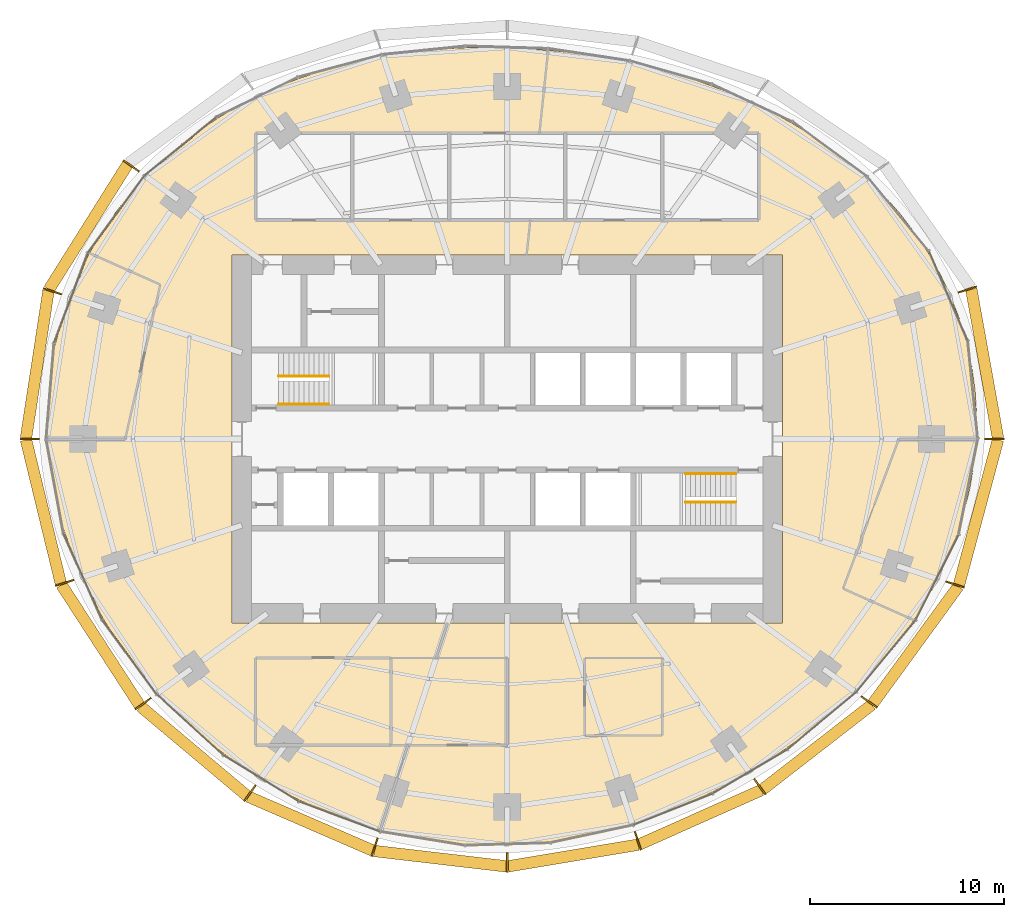
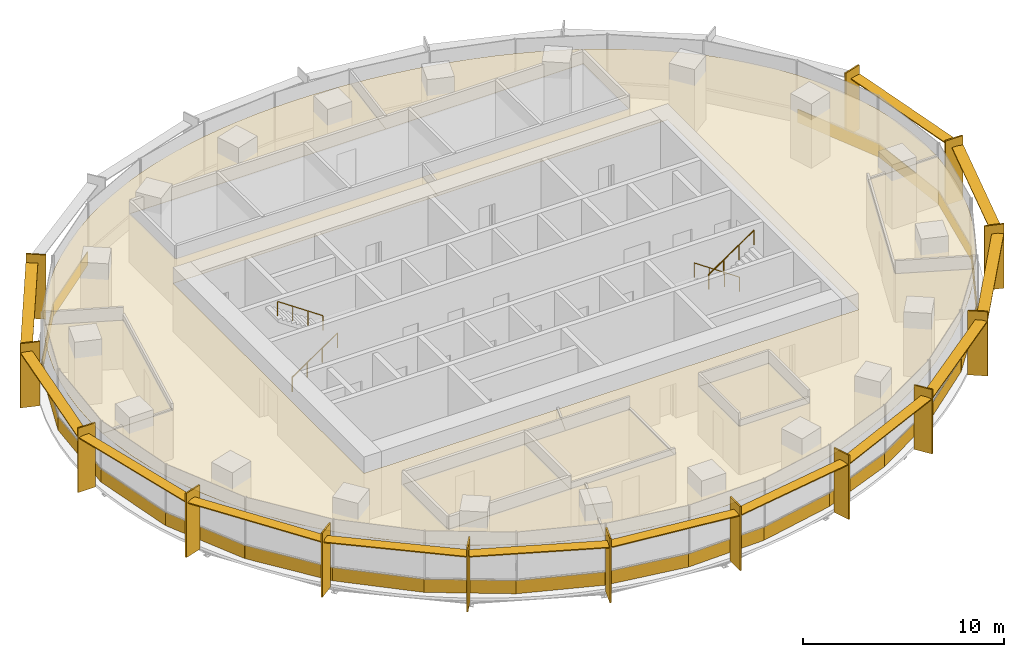
# One storey, part 13 of 14: 28 coverings, 27 shading devices, 4 railings.
"""IFC4 building model written with IfcOpenShell, lengths in metres."""

from ifc_helpers import new_model, si_unit, direction, frame, origin, origin_2d, place, context, subcontext, project, spatial, polyline, rectangle, circle, outline, extrude, material, layer, layer_set, type_object, element, save


model = new_model("IFC4")

# Units and contexts
model_context = context("Model", 3, precision=1e-05, world=origin(), true_north=direction((0.0, 1.0)))
body_context = subcontext(model_context, "Body", "Model", "MODEL_VIEW")
ifc_project = project(units=[si_unit("LENGTHUNIT", "METRE"), si_unit("AREAUNIT", "SQUARE_METRE"), si_unit("VOLUMEUNIT", "CUBIC_METRE"), si_unit("PLANEANGLEUNIT", "RADIAN"), si_unit("MASSUNIT", "GRAM", prefix="KILO")], contexts=[model_context])

# Site, building, storey
site_placement = place(None, origin())
site = spatial("IfcSite", under=ifc_project, at=site_placement, CompositionType="ELEMENT")
building_placement = place(site_placement, origin())
building = spatial("IfcBuilding", under=site, at=building_placement, Name="Marramba Exchange Tower", CompositionType="ELEMENT")
storey_placement = place(building_placement, frame((0.0, 0.0, 234.5)))
storey = spatial("IfcBuildingStorey", under=building, at=storey_placement, Name="L57", CompositionType="ELEMENT", Elevation=234.5)

# Shading devices
ifc_material_1 = material(Name="Aluminium blade, timber-look bronze finish", Category="wood")
ifc_layer_1 = layer(ifc_material_1, 0.080078125)
ifc_layer_set_1 = layer_set([ifc_layer_1], Name="Floor-edge blade 1000x80")
shading_device_type_1 = type_object("IfcShadingDeviceType", Name="Floor-edge blade 1000x80", PredefinedType="USERDEFINED", material=ifc_layer_set_1)
for number, where, z_axis, x_axis, name in (
    (1, (25.14404296875, 0.0, -0.159912109375), (0.0, 0.0, 1.0), (1.0, 0.0, 0.0), "Floor-edge blade FB1 L57 TC01"),
    (2, (23.757080078125, 7.718994140625, -0.159912109375), (0.0, 0.0, 1.0), (0.951056516295, 0.309016994375, 0.0), "Floor-edge blade FB1 L57 TC02"),
    (3, (-19.4140625, 14.105224609375, -0.159912109375), (0.0, 0.0, 1.0), (-0.809016994375, 0.587785252292, 0.0), "Floor-edge blade FB1 L57 TC09"),
    (4, (-23.488525390625, 7.6318359375, -0.159912109375), (0.0, 0.0, 1.0), (-0.951056516295, 0.309016994375, 0.0), "Floor-edge blade FB1 L57 TC10"),
    (5, (-24.656005859375, 0.0, -0.159912109375), (0.0, 0.0, 1.0), (-1.0, 0.0, 0.0), "Floor-edge blade FB1 L57 TC11"),
    (6, (-22.848876953125, -7.424072265625, -0.159912109375), (0.0, 0.0, 1.0), (-0.951056516295, -0.309016994375, 0.0), "Floor-edge blade FB1 L57 TC12"),
    (7, (-18.7998046875, -13.658935546875, -0.159912109375), (0.0, 0.0, 1.0), (-0.809016994375, -0.587785252292, 0.0), "Floor-edge blade FB1 L57 TC13"),
    (8, (-13.2841796875, -18.2841796875, -0.159912109375), (0.0, 0.0, 1.0), (-0.587785252292, -0.809016994375, 0.0), "Floor-edge blade FB1 L57 TC14"),
    (9, (-6.845703125, -21.069091796875, -0.159912109375), (0.0, 0.0, 1.0), (-0.309016994375, -0.951056516295, 0.0), "Floor-edge blade FB1 L57 TC15"),
    (10, (0.0, -21.86376953125, -0.159912109375), (0.0, 0.0, 1.0), (0.0, -1.0, 0.0), "Floor-edge blade FB1 L57 TC16"),
    (11, (6.739501953125, -20.741943359375, -0.159912109375), (0.0, 0.0, 1.0), (0.309016994375, -0.951056516295, 0.0), "Floor-edge blade FB1 L57 TC17"),
    (12, (13.0380859375, -17.9453125, -0.159912109375), (0.0, 0.0, 1.0), (0.587785252292, -0.809016994375, 0.0), "Floor-edge blade FB1 L57 TC18"),
    (13, (18.6845703125, -13.5751953125, -0.159912109375), (0.0, 0.0, 1.0), (0.809016994375, -0.587785252292, 0.0), "Floor-edge blade FB1 L57 TC19"),
    (14, (23.1171875, -7.51123046875, -0.159912109375), (0.0, 0.0, 1.0), (0.951056516295, -0.309016994375, 0.0), "Floor-edge blade FB1 L57 TC20"),
):
    element("IfcShadingDevice", number, at=place(storey_placement, frame(where, z_axis=z_axis, x_axis=x_axis)), inside=storey, type_object=shading_device_type_1, Name=name, ObjectType="FIN", PredefinedType="USERDEFINED", context=body_context, shape_type="SweptSolid", body=[
        extrude(rectangle(XDim=1.0, YDim=0.080078125, at=origin_2d()), origin(), (0.0, 0.0, 1.0), 3.89990234375),
    ])
ifc_material_2 = material(Name="Aluminium sunshade, bronze anodised", Category="aluminium")
ifc_layer_2 = layer(ifc_material_2, 0.06005859375)
ifc_layer_set_2 = layer_set([ifc_layer_2], Name="SUNSHADE blade 600x60")
shading_device_type_2 = type_object("IfcShadingDeviceType", Name="SUNSHADE blade 600x60", PredefinedType="USERDEFINED", material=ifc_layer_set_2)
shading_device_1_placement = place(storey_placement, frame((24.6455078125, 3.890380859375, 3.159912109375), z_axis=(0.0, 0.0, 1.0), x_axis=(-0.176690623809, 0.984266439262, 0.0)))
element("IfcShadingDevice", 15, at=shading_device_1_placement, inside=storey, type_object=shading_device_type_2, Name="Sunshade SS1 L57 bay 01", ObjectType="SUNSHADE", PredefinedType="USERDEFINED", context=body_context, shape_type="SweptSolid", body=[
    extrude(rectangle(XDim=7.8251953125, YDim=0.60009765625, at=origin_2d()), origin(), (0.0, 0.0, 1.0), 0.06005859375),
])
shading_device_2_placement = place(storey_placement, frame((-21.62744140625, 10.958251953125, 3.159912109375), z_axis=(0.0, 0.0, 1.0), x_axis=(-0.532082259983, -0.846692664792, 0.0)))
element("IfcShadingDevice", 16, at=shading_device_2_placement, inside=storey, type_object=shading_device_type_2, Name="Sunshade SS1 L57 bay 09", ObjectType="SUNSHADE", PredefinedType="USERDEFINED", context=body_context, shape_type="SweptSolid", body=[
    extrude(rectangle(XDim=7.631103515625, YDim=0.60009765625, at=origin_2d()), origin(), (0.0, 0.0, 1.0), 0.06005859375),
])
shading_device_3_placement = place(storey_placement, frame((-24.267333984375, 3.846923828125, 3.159912109375), z_axis=(0.0, 0.0, 1.0), x_axis=(-0.151240669327, -0.988496970123, 0.0)))
element("IfcShadingDevice", 17, at=shading_device_3_placement, inside=storey, type_object=shading_device_type_2, Name="Sunshade SS1 L57 bay 10", ObjectType="SUNSHADE", PredefinedType="USERDEFINED", context=body_context, shape_type="SweptSolid", body=[
    extrude(rectangle(XDim=7.703369140625, YDim=0.60009765625, at=origin_2d()), origin(), (0.0, 0.0, 1.0), 0.06005859375),
])
shading_device_4_placement = place(storey_placement, frame((-23.947509765625, -3.742919921875, 3.159912109375), z_axis=(0.0, 0.0, 1.0), x_axis=(0.235861488454, -0.971786683519, 0.0)))
element("IfcShadingDevice", 18, at=shading_device_4_placement, inside=storey, type_object=shading_device_type_2, Name="Sunshade SS1 L57 bay 11", ObjectType="SUNSHADE", PredefinedType="USERDEFINED", context=body_context, shape_type="SweptSolid", body=[
    extrude(rectangle(XDim=7.623291015625, YDim=0.60009765625, at=origin_2d()), origin(), (0.0, 0.0, 1.0), 0.06005859375),
])
shading_device_5_placement = place(storey_placement, frame((-21.000244140625, -10.631103515625, 3.159912109375), z_axis=(0.0, 0.0, 1.0), x_axis=(0.543921771105, -0.839135928749, 0.0)))
element("IfcShadingDevice", 19, at=shading_device_5_placement, inside=storey, type_object=shading_device_type_2, Name="Sunshade SS1 L57 bay 12", ObjectType="SUNSHADE", PredefinedType="USERDEFINED", context=body_context, shape_type="SweptSolid", body=[
    extrude(rectangle(XDim=7.41650390625, YDim=0.60009765625, at=origin_2d()), origin(), (0.0, 0.0, 1.0), 0.06005859375),
])
shading_device_6_placement = place(storey_placement, frame((-16.181640625, -16.111083984375, 3.159912109375), z_axis=(0.0, 0.0, 1.0), x_axis=(0.765761970568, -0.643124097225, 0.0)))
element("IfcShadingDevice", 20, at=shading_device_6_placement, inside=storey, type_object=shading_device_type_2, Name="Sunshade SS1 L57 bay 13", ObjectType="SUNSHADE", PredefinedType="USERDEFINED", context=body_context, shape_type="SweptSolid", body=[
    extrude(rectangle(XDim=7.1806640625, YDim=0.60009765625, at=origin_2d()), origin(), (0.0, 0.0, 1.0), 0.06005859375),
])
shading_device_7_placement = place(storey_placement, frame((-10.154541015625, -19.8525390625, 3.159912109375), z_axis=(0.0, 0.0, 1.0), x_axis=(0.917589256742, -0.397529817639, 0.0)))
element("IfcShadingDevice", 21, at=shading_device_7_placement, inside=storey, type_object=shading_device_type_2, Name="Sunshade SS1 L57 bay 14", ObjectType="SUNSHADE", PredefinedType="USERDEFINED", context=body_context, shape_type="SweptSolid", body=[
    extrude(rectangle(XDim=6.997314453125, YDim=0.60009765625, at=origin_2d()), origin(), (0.0, 0.0, 1.0), 0.06005859375),
])
shading_device_8_placement = place(storey_placement, frame((-3.453857421875, -21.66162109375, 3.159912109375), z_axis=(0.0, 0.0, 1.0), x_axis=(0.993288257497, -0.1156651958, 0.0)))
element("IfcShadingDevice", 22, at=shading_device_8_placement, inside=storey, type_object=shading_device_type_2, Name="Sunshade SS1 L57 bay 15", ObjectType="SUNSHADE", PredefinedType="USERDEFINED", context=body_context, shape_type="SweptSolid", body=[
    extrude(rectangle(XDim=6.874267578125, YDim=0.60009765625, at=origin_2d()), origin(), (0.0, 0.0, 1.0), 0.06005859375),
])
shading_device_9_placement = place(storey_placement, frame((3.400634765625, -21.498046875, 3.159912109375), z_axis=(0.0, 0.0, 1.0), x_axis=(0.986439622954, 0.164124557168, 0.0)))
element("IfcShadingDevice", 23, at=shading_device_9_placement, inside=storey, type_object=shading_device_type_2, Name="Sunshade SS1 L57 bay 16", ObjectType="SUNSHADE", PredefinedType="USERDEFINED", context=body_context, shape_type="SweptSolid", body=[
    extrude(rectangle(XDim=6.814697265625, YDim=0.60009765625, at=origin_2d()), origin(), (0.0, 0.0, 1.0), 0.06005859375),
])
shading_device_10_placement = place(storey_placement, frame((9.978515625, -19.519775390625, 3.159912109375), z_axis=(0.0, 0.0, 1.0), x_axis=(0.913771678576, 0.406228161792, 0.0)))
element("IfcShadingDevice", 24, at=shading_device_10_placement, inside=storey, type_object=shading_device_type_2, Name="Sunshade SS1 L57 bay 17", ObjectType="SUNSHADE", PredefinedType="USERDEFINED", context=body_context, shape_type="SweptSolid", body=[
    extrude(rectangle(XDim=6.8740234375, YDim=0.60009765625, at=origin_2d()), origin(), (0.0, 0.0, 1.0), 0.06005859375),
])
shading_device_11_placement = place(storey_placement, frame((16.0009765625, -15.89990234375, 3.159912109375), z_axis=(0.0, 0.0, 1.0), x_axis=(0.790133082515, 0.612935324414, 0.0)))
element("IfcShadingDevice", 25, at=shading_device_11_placement, inside=storey, type_object=shading_device_type_2, Name="Sunshade SS1 L57 bay 18", ObjectType="SUNSHADE", PredefinedType="USERDEFINED", context=body_context, shape_type="SweptSolid", body=[
    extrude(rectangle(XDim=7.122314453125, YDim=0.60009765625, at=origin_2d()), origin(), (0.0, 0.0, 1.0), 0.06005859375),
])
shading_device_12_placement = place(storey_placement, frame((21.076904296875, -10.6328125, 3.159912109375), z_axis=(0.0, 0.0, 1.0), x_axis=(0.589071758439, 0.808080728275, 0.0)))
element("IfcShadingDevice", 26, at=shading_device_12_placement, inside=storey, type_object=shading_device_type_2, Name="Sunshade SS1 L57 bay 19", ObjectType="SUNSHADE", PredefinedType="USERDEFINED", context=body_context, shape_type="SweptSolid", body=[
    extrude(rectangle(XDim=7.4931640625, YDim=0.60009765625, at=origin_2d()), origin(), (0.0, 0.0, 1.0), 0.06005859375),
])
shading_device_13_placement = place(storey_placement, frame((24.32568359375, -3.78662109375, 3.159912109375), z_axis=(0.0, 0.0, 1.0), x_axis=(0.259692365654, 0.965691397508, 0.0)))
element("IfcShadingDevice", 27, at=shading_device_13_placement, inside=storey, type_object=shading_device_type_2, Name="Sunshade SS1 L57 bay 20", ObjectType="SUNSHADE", PredefinedType="USERDEFINED", context=body_context, shape_type="SweptSolid", body=[
    extrude(rectangle(XDim=7.76220703125, YDim=0.60009765625, at=origin_2d()), origin(), (0.0, 0.0, 1.0), 0.06005859375),
])

# Coverings
ifc_material_3 = material(Name="Aluminium spandrel panel, bronze anodised, insulated", Category="aluminium")
ifc_layer_3 = layer(ifc_material_3, 0.050048828125)
ifc_layer_set_3 = layer_set([ifc_layer_3], Name="Spandrel panel 800")
covering_type_1 = type_object("IfcCoveringType", Name="Spandrel panel 800", PredefinedType="CLADDING", material=ifc_layer_set_3)
covering_1_placement = place(storey_placement, frame((24.036376953125, 2.527099609375, 0.0), z_axis=(0.0, 0.0, 1.0), x_axis=(-0.101422478545, 0.994843445395, 0.0)))
element("IfcCovering", 28, at=covering_1_placement, inside=storey, type_object=covering_type_1, Name="Spandrel panel SP1 L57 F01", PredefinedType="CLADDING", context=body_context, shape_type="SweptSolid", body=[
    extrude(rectangle(XDim=5.08056640625, YDim=0.050048828125, at=origin_2d()), origin(), (0.0, 0.0, 1.0), 0.800048828125),
])
covering_2_placement = place(storey_placement, frame((22.77734375, 7.374755859375, 0.0), z_axis=(0.0, 0.0, 1.0), x_axis=(-0.396193349205, 0.918167103552, 0.0)))
element("IfcCovering", 29, at=covering_2_placement, inside=storey, type_object=covering_type_1, Name="Spandrel panel SP1 L57 F02", PredefinedType="CLADDING", context=body_context, shape_type="SweptSolid", body=[
    extrude(rectangle(XDim=5.0546875, YDim=0.050048828125, at=origin_2d()), origin(), (0.0, 0.0, 1.0), 0.800048828125),
])
covering_3_placement = place(storey_placement, frame((-16.855712890625, 15.1240234375, 0.0), z_axis=(0.0, 0.0, 1.0), x_axis=(-0.776432169123, -0.630200830491, 0.0)))
element("IfcCovering", 30, at=covering_3_placement, inside=storey, type_object=covering_type_1, Name="Spandrel panel SP1 L57 F12", PredefinedType="CLADDING", context=body_context, shape_type="SweptSolid", body=[
    extrude(rectangle(XDim=4.81884765625, YDim=0.050048828125, at=origin_2d()), origin(), (0.0, 0.0, 1.0), 0.800048828125),
])
covering_4_placement = place(storey_placement, frame((-20.184326171875, 11.62060546875, 0.0), z_axis=(0.0, 0.0, 1.0), x_axis=(-0.591962919465, -0.805965198987, 0.0)))
element("IfcCovering", 31, at=covering_4_placement, inside=storey, type_object=covering_type_1, Name="Spandrel panel SP1 L57 F13", PredefinedType="CLADDING", context=body_context, shape_type="SweptSolid", body=[
    extrude(rectangle(XDim=4.925537109375, YDim=0.050048828125, at=origin_2d()), origin(), (0.0, 0.0, 1.0), 0.800048828125),
])
covering_5_placement = place(storey_placement, frame((-22.518798828125, 7.30419921875, 0.0), z_axis=(0.0, 0.0, 1.0), x_axis=(-0.351951514464, -0.936018232443, 0.0)))
element("IfcCovering", 32, at=covering_5_placement, inside=storey, type_object=covering_type_1, Name="Spandrel panel SP1 L57 F14", PredefinedType="CLADDING", context=body_context, shape_type="SweptSolid", body=[
    extrude(rectangle(XDim=4.981689453125, YDim=0.050048828125, at=origin_2d()), origin(), (0.0, 0.0, 1.0), 0.800048828125),
])
covering_6_placement = place(storey_placement, frame((-23.600830078125, 2.486328125, 0.0), z_axis=(0.0, 0.0, 1.0), x_axis=(-0.082280881776, -0.996609179415, 0.0)))
element("IfcCovering", 33, at=covering_6_placement, inside=storey, type_object=covering_type_1, Name="Spandrel panel SP1 L57 F15", PredefinedType="CLADDING", context=body_context, shape_type="SweptSolid", body=[
    extrude(rectangle(XDim=4.98974609375, YDim=0.050048828125, at=origin_2d()), origin(), (0.0, 0.0, 1.0), 0.800048828125),
])
covering_7_placement = place(storey_placement, frame((-23.359619140625, -2.43505859375, 0.0), z_axis=(0.0, 0.0, 1.0), x_axis=(0.180327442841, -0.983606635479, 0.0)))
element("IfcCovering", 34, at=covering_7_placement, inside=storey, type_object=covering_type_1, Name="Spandrel panel SP1 L57 F16", PredefinedType="CLADDING", context=body_context, shape_type="SweptSolid", body=[
    extrude(rectangle(XDim=4.951416015625, YDim=0.050048828125, at=origin_2d()), origin(), (0.0, 0.0, 1.0), 0.800048828125),
])
covering_8_placement = place(storey_placement, frame((-21.920654296875, -7.093994140625, 0.0), z_axis=(0.0, 0.0, 1.0), x_axis=(0.407557582153, -0.913179509861, 0.0)))
element("IfcCovering", 35, at=covering_8_placement, inside=storey, type_object=covering_type_1, Name="Spandrel panel SP1 L57 F17", PredefinedType="CLADDING", context=body_context, shape_type="SweptSolid", body=[
    extrude(rectangle(XDim=4.870361328125, YDim=0.050048828125, at=origin_2d()), origin(), (0.0, 0.0, 1.0), 0.800048828125),
])
covering_9_placement = place(storey_placement, frame((-19.520263671875, -11.238525390625, 0.0), z_axis=(0.0, 0.0, 1.0), x_axis=(0.591223097085, -0.80650805915, 0.0)))
element("IfcCovering", 36, at=covering_9_placement, inside=storey, type_object=covering_type_1, Name="Spandrel panel SP1 L57 F18", PredefinedType="CLADDING", context=body_context, shape_type="SweptSolid", body=[
    extrude(rectangle(XDim=4.762939453125, YDim=0.050048828125, at=origin_2d()), origin(), (0.0, 0.0, 1.0), 0.800048828125),
])
covering_10_placement = place(storey_placement, frame((-16.396240234375, -14.73193359375, 0.0), z_axis=(0.0, 0.0, 1.0), x_axis=(0.737203259599, -0.67567103981, 0.0)))
element("IfcCovering", 37, at=covering_10_placement, inside=storey, type_object=covering_type_1, Name="Spandrel panel SP1 L57 F19", PredefinedType="CLADDING", context=body_context, shape_type="SweptSolid", body=[
    extrude(rectangle(XDim=4.65478515625, YDim=0.050048828125, at=origin_2d()), origin(), (0.0, 0.0, 1.0), 0.800048828125),
])
covering_11_placement = place(storey_placement, frame((-12.73583984375, -17.497802734375, 0.0), z_axis=(0.0, 0.0, 1.0), x_axis=(0.852301010692, -0.52305161043, 0.0)))
element("IfcCovering", 38, at=covering_11_placement, inside=storey, type_object=covering_type_1, Name="Spandrel panel SP1 L57 F20", PredefinedType="CLADDING", context=body_context, shape_type="SweptSolid", body=[
    extrude(rectangle(XDim=4.563232421875, YDim=0.050048828125, at=origin_2d()), origin(), (0.0, 0.0, 1.0), 0.800048828125),
])
covering_12_placement = place(storey_placement, frame((-8.687255859375, -19.47607421875, 0.0), z_axis=(0.0, 0.0, 1.0), x_axis=(0.936951581946, -0.349459200892, 0.0)))
element("IfcCovering", 39, at=covering_12_placement, inside=storey, type_object=covering_type_1, Name="Spandrel panel SP1 L57 F21", PredefinedType="CLADDING", context=body_context, shape_type="SweptSolid", body=[
    extrude(rectangle(XDim=4.491455078125, YDim=0.050048828125, at=origin_2d()), origin(), (0.0, 0.0, 1.0), 0.800048828125),
])
covering_13_placement = place(storey_placement, frame((-4.393798828125, -20.6181640625, 0.0), z_axis=(0.0, 0.0, 1.0), x_axis=(0.98693062179, -0.161145734582, 0.0)))
element("IfcCovering", 40, at=covering_13_placement, inside=storey, type_object=covering_type_1, Name="Spandrel panel SP1 L57 F22", PredefinedType="CLADDING", context=body_context, shape_type="SweptSolid", body=[
    extrude(rectangle(XDim=4.4365234375, YDim=0.050048828125, at=origin_2d()), origin(), (0.0, 0.0, 1.0), 0.800048828125),
])
covering_14_placement = place(storey_placement, frame((-0.0068359375, -20.9111328125, 0.0), z_axis=(0.0, 0.0, 1.0), x_axis=(0.99956791932, 0.02939344597, 0.0)))
element("IfcCovering", 41, at=covering_14_placement, inside=storey, type_object=covering_type_1, Name="Spandrel panel SP1 L57 F23", PredefinedType="CLADDING", context=body_context, shape_type="SweptSolid", body=[
    extrude(rectangle(XDim=4.3974609375, YDim=0.050048828125, at=origin_2d()), origin(), (0.0, 0.0, 1.0), 0.800048828125),
])
covering_15_placement = place(storey_placement, frame((4.333984375, -20.389892578125, 0.0), z_axis=(0.0, 0.0, 1.0), x_axis=(0.978058068956, 0.208332459664, 0.0)))
element("IfcCovering", 42, at=covering_15_placement, inside=storey, type_object=covering_type_1, Name="Spandrel panel SP1 L57 F24", PredefinedType="CLADDING", context=body_context, shape_type="SweptSolid", body=[
    extrude(rectangle(XDim=4.3818359375, YDim=0.050048828125, at=origin_2d()), origin(), (0.0, 0.0, 1.0), 0.800048828125),
])
covering_16_placement = place(storey_placement, frame((8.525390625, -19.124267578125, 0.0), z_axis=(0.0, 0.0, 1.0), x_axis=(0.93007301151, 0.367374731386, 0.0)))
element("IfcCovering", 43, at=covering_16_placement, inside=storey, type_object=covering_type_1, Name="Spandrel panel SP1 L57 F25", PredefinedType="CLADDING", context=body_context, shape_type="SweptSolid", body=[
    extrude(rectangle(XDim=4.405517578125, YDim=0.050048828125, at=origin_2d()), origin(), (0.0, 0.0, 1.0), 0.800048828125),
])
covering_17_placement = place(storey_placement, frame((12.50634765625, -17.175537109375, 0.0), z_axis=(0.0, 0.0, 1.0), x_axis=(0.861350829898, 0.508010578466, 0.0)))
element("IfcCovering", 44, at=covering_17_placement, inside=storey, type_object=covering_type_1, Name="Spandrel panel SP1 L57 F26", PredefinedType="CLADDING", context=body_context, shape_type="SweptSolid", body=[
    extrude(rectangle(XDim=4.486572265625, YDim=0.050048828125, at=origin_2d()), origin(), (0.0, 0.0, 1.0), 0.800048828125),
])
covering_18_placement = place(storey_placement, frame((16.2177734375, -14.5556640625, 0.0), z_axis=(0.0, 0.0, 1.0), x_axis=(0.768736803132, 0.639565264465, 0.0)))
element("IfcCovering", 45, at=covering_18_placement, inside=storey, type_object=covering_type_1, Name="Spandrel panel SP1 L57 F27", PredefinedType="CLADDING", context=body_context, shape_type="SweptSolid", body=[
    extrude(rectangle(XDim=4.628662109375, YDim=0.050048828125, at=origin_2d()), origin(), (0.0, 0.0, 1.0), 0.800048828125),
])
covering_19_placement = place(storey_placement, frame((19.529541015625, -11.2265625, 0.0), z_axis=(0.0, 0.0, 1.0), x_axis=(0.638149992226, 0.769912064733, 0.0)))
element("IfcCovering", 46, at=covering_19_placement, inside=storey, type_object=covering_type_1, Name="Spandrel panel SP1 L57 F28", PredefinedType="CLADDING", context=body_context, shape_type="SweptSolid", body=[
    extrude(rectangle(XDim=4.80322265625, YDim=0.050048828125, at=origin_2d()), origin(), (0.0, 0.0, 1.0), 0.800048828125),
])
covering_20_placement = place(storey_placement, frame((22.17919921875, -7.16455078125, 0.0), z_axis=(0.0, 0.0, 1.0), x_axis=(0.450673091404, 0.892689063832, 0.0)))
element("IfcCovering", 47, at=covering_20_placement, inside=storey, type_object=covering_type_1, Name="Spandrel panel SP1 L57 F29", PredefinedType="CLADDING", context=body_context, shape_type="SweptSolid", body=[
    extrude(rectangle(XDim=4.957763671875, YDim=0.050048828125, at=origin_2d()), origin(), (0.0, 0.0, 1.0), 0.800048828125),
])
covering_21_placement = place(storey_placement, frame((23.795166015625, -2.475830078125, 0.0), z_axis=(0.0, 0.0, 1.0), x_axis=(0.197495401381, 0.980303813332, 0.0)))
element("IfcCovering", 48, at=covering_21_placement, inside=storey, type_object=covering_type_1, Name="Spandrel panel SP1 L57 F30", PredefinedType="CLADDING", context=body_context, shape_type="SweptSolid", body=[
    extrude(rectangle(XDim=5.05126953125, YDim=0.050048828125, at=origin_2d()), origin(), (0.0, 0.0, 1.0), 0.800048828125),
])

# Railings
ifc_material_4 = material(Name="Stainless steel handrail", Category="steel")
railing_type = type_object("IfcRailingType", Name="Stair handrail 900", PredefinedType="HANDRAIL", material=ifc_material_4)
railing_1_placement = place(storey_placement, frame((-11.800048828125, 1.800048828125, 0.17724609375)))
element("IfcRailing", 49, at=railing_1_placement, inside=storey, type_object=railing_type, Name="Handrail HR1 ST1 L57 flight 1", PredefinedType="HANDRAIL", context=body_context, shape_type="SweptSolid", body=[
    extrude(circle(Radius=0.02392578125, at=origin_2d()), frame((0.0, 0.0, 0.8759765625), z_axis=(0.826240473404, 0.0, 0.563317565952), x_axis=(0.0, 1.0, 0.0)), (0.0, 0.0, 1.0), 3.14697265625),
    extrude(circle(Radius=0.02099609375, at=origin_2d()), origin(), (0.0, 0.0, 1.0), 0.851806640625),
    extrude(circle(Radius=0.02099609375, at=origin_2d()), frame((0.86669921875, 0.0, 0.5908203125)), (0.0, 0.0, 1.0), 0.851806640625),
    extrude(circle(Radius=0.02099609375, at=origin_2d()), frame((1.7333984375, 0.0, 1.181884765625)), (0.0, 0.0, 1.0), 0.851806640625),
    extrude(circle(Radius=0.02099609375, at=origin_2d()), frame((2.60009765625, 0.0, 1.772705078125)), (0.0, 0.0, 1.0), 0.851806640625),
])
for number, where, name in (
    (50, (-9.199951171875, 3.25, 2.127197265625), "Handrail HR1 ST1 L57 flight 2"),
    (51, (11.800048828125, -1.800048828125, 0.17724609375), "Handrail HR1 ST2 L57 flight 1"),
):
    element("IfcRailing", number, at=place(storey_placement, frame(where)), inside=storey, type_object=railing_type, Name=name, PredefinedType="HANDRAIL", context=body_context, shape_type="SweptSolid", body=[
        extrude(circle(Radius=0.02392578125, at=origin_2d()), frame((0.0, 0.0, 0.8759765625), z_axis=(-0.826240473404, 0.0, 0.563317565952), x_axis=(0.0, -1.0, 0.0)), (0.0, 0.0, 1.0), 3.14697265625),
        extrude(circle(Radius=0.02099609375, at=origin_2d()), origin(), (0.0, 0.0, 1.0), 0.851806640625),
        extrude(circle(Radius=0.02099609375, at=origin_2d()), frame((-0.86669921875, 0.0, 0.5908203125)), (0.0, 0.0, 1.0), 0.851806640625),
        extrude(circle(Radius=0.02099609375, at=origin_2d()), frame((-1.7333984375, 0.0, 1.181884765625)), (0.0, 0.0, 1.0), 0.851806640625),
        extrude(circle(Radius=0.02099609375, at=origin_2d()), frame((-2.60009765625, 0.0, 1.772705078125)), (0.0, 0.0, 1.0), 0.851806640625),
    ])
railing_2_placement = place(storey_placement, frame((9.199951171875, -3.25, 2.127197265625)))
element("IfcRailing", 52, at=railing_2_placement, inside=storey, type_object=railing_type, Name="Handrail HR1 ST2 L57 flight 2", PredefinedType="HANDRAIL", context=body_context, shape_type="SweptSolid", body=[
    extrude(circle(Radius=0.02392578125, at=origin_2d()), frame((0.0, 0.0, 0.8759765625), z_axis=(0.826240473404, 0.0, 0.563317565952), x_axis=(0.0, 1.0, 0.0)), (0.0, 0.0, 1.0), 3.14697265625),
    extrude(circle(Radius=0.02099609375, at=origin_2d()), origin(), (0.0, 0.0, 1.0), 0.851806640625),
    extrude(circle(Radius=0.02099609375, at=origin_2d()), frame((0.86669921875, 0.0, 0.5908203125)), (0.0, 0.0, 1.0), 0.851806640625),
    extrude(circle(Radius=0.02099609375, at=origin_2d()), frame((1.7333984375, 0.0, 1.181884765625)), (0.0, 0.0, 1.0), 0.851806640625),
    extrude(circle(Radius=0.02099609375, at=origin_2d()), frame((2.60009765625, 0.0, 1.772705078125)), (0.0, 0.0, 1.0), 0.851806640625),
])

# Coverings
ifc_material_5 = material(Name="Mineral fibre ceiling tiles", Category="gypsum")
ifc_layer_4 = layer(ifc_material_5, 0.02001953125)
ifc_layer_set_4 = layer_set([ifc_layer_4], Name="Suspended ceiling 20")
covering_type_2 = type_object("IfcCoveringType", Name="Suspended ceiling 20", PredefinedType="CEILING", material=ifc_layer_set_4)
covering_22_placement = place(storey_placement, frame((0.0, 0.0, 2.89990234375)))
element("IfcCovering", 53, at=covering_22_placement, inside=storey, type_object=covering_type_2, Name="Ceiling CL1 L57 Client Advisory Office", PredefinedType="CEILING", context=body_context, shape_type="SweptSolid", body=[
    extrude(outline(polyline([(14.199951171875, 9.5), (0.99853515625, 9.5), (1.187744140625, 11.300048828125), (3.0, 11.300048828125), (8.0, 11.300048828125), (13.0, 11.300048828125), (13.0, 15.800048828125), (8.0, 15.800048828125), (3.0, 15.800048828125), (1.66064453125, 15.800048828125), (2.1103515625, 20.077880859375), (3.16259765625, 19.96728515625), (4.214111328125, 19.82568359375), (5.265869140625, 19.65234375), (6.318359375, 19.445556640625), (7.371826171875, 19.2041015625), (8.426025390625, 18.92529296875), (9.480712890625, 18.60693359375), (10.5341796875, 18.245849609375), (11.584716796875, 17.839111328125), (12.6298828125, 17.383544921875), (13.666259765625, 16.87646484375), (14.689453125, 16.314453125), (15.695068359375, 15.695068359375), (16.67724609375, 15.016357421875), (17.6298828125, 14.276611328125), (18.54638671875, 13.474853515625), (19.41943359375, 12.611083984375), (20.24169921875, 11.6865234375), (21.00537109375, 10.70263671875), (21.702880859375, 9.662841796875), (22.32763671875, 8.57080078125), (22.87255859375, 7.431640625), (23.331787109375, 6.251708984375), (23.700439453125, 5.03759765625), (23.974853515625, 3.797119140625), (24.15234375, 2.53857421875), (24.23193359375, 1.27001953125), (24.214111328125, 0.0), (20.214111328125, 0.0), (17.334716796875, -7.718017578125), (20.989013671875, -9.344970703125), (20.286865234375, -10.336669921875), (19.539794921875, -11.28125), (18.753173828125, -12.178466796875), (17.93212890625, -13.028564453125), (17.08154296875, -13.832275390625), (16.204833984375, -14.5908203125), (15.30517578125, -15.30517578125), (14.38525390625, -15.976318359375), (13.44677734375, -16.60546875), (12.491455078125, -17.193115234375), (11.520263671875, -17.73974609375), (10.5341796875, -18.245849609375), (9.53369140625, -18.711181640625), (8.51953125, -19.13525390625), (7.4921875, -19.517578125), (6.4521484375, -19.857421875), (5.400146484375, -20.153564453125), (4.337158203125, -20.404541015625), (3.26416015625, -20.609619140625), (2.1826171875, -20.766845703125), (1.093994140625, -20.875244140625), (0.0, -20.93359375), (-1.097412109375, -20.94091796875), (-2.1962890625, -20.89599609375), (-3.294189453125, -20.79833984375), (-4.388916015625, -20.6474609375), (-5.477783203125, -20.44287109375), (-6.558349609375, -20.184814453125), (-5.1337890625, -15.800048828125), (0.0, -15.800048828125), (0.0, -11.300048828125), (-3.671630859375, -11.300048828125), (-3.086669921875, -9.5), (14.199951171875, -9.5), (14.199951171875, 9.5)]), holes=[polyline([(4.0, -11.300048828125), (4.0, -15.300048828125), (8.0, -15.300048828125), (8.0, -11.300048828125), (4.0, -11.300048828125)])]), origin(), (0.0, 0.0, 1.0), 0.02001953125),
])
covering_23_placement = place(storey_placement, frame((0.0, 0.0, 2.89990234375)))
element("IfcCovering", 54, at=covering_23_placement, inside=storey, type_object=covering_type_2, Name="Ceiling CL1 L57 Transaction Office", PredefinedType="CEILING", context=body_context, shape_type="SweptSolid", body=[
    extrude(outline(polyline([(-14.199951171875, -9.5), (-3.086669921875, -9.5), (-3.671630859375, -11.300048828125), (-6.0, -11.300048828125), (-13.0, -11.300048828125), (-13.0, -15.800048828125), (-6.0, -15.800048828125), (-5.1337890625, -15.800048828125), (-6.558349609375, -20.184814453125), (-7.62841796875, -19.873046875), (-8.685546875, -19.50830078125), (-9.727294921875, -19.091064453125), (-10.75146484375, -18.621826171875), (-11.755615234375, -18.101806640625), (-12.737548828125, -17.53173828125), (-13.6953125, -16.912353515625), (-14.626953125, -16.2451171875), (-15.5302734375, -15.5302734375), (-16.403076171875, -14.769287109375), (-17.242919921875, -13.962890625), (-18.04736328125, -13.1123046875), (-18.81396484375, -12.218017578125), (-19.539794921875, -11.28125), (-20.22119140625, -10.30322265625), (-20.85498046875, -9.285400390625), (-21.4375, -8.22900390625), (-21.96435546875, -7.13671875), (-22.431640625, -6.010498046875), (-22.8349609375, -4.853759765625), (-23.169921875, -3.669677734375), (-23.432373046875, -2.462890625), (-23.618896484375, -1.23779296875), (-23.72607421875, 0.0), (-19.72607421875, 0.0), (-17.914794921875, 7.976318359375), (-21.569091796875, 9.603271484375), (-20.939697265625, 10.669189453125), (-20.24169921875, 11.6865234375), (-19.48046875, 12.650634765625), (-18.66162109375, 13.55859375), (-17.79150390625, 14.4072265625), (-16.87548828125, 15.19482421875), (-15.920166015625, 15.920166015625), (-14.931396484375, 16.5830078125), (-13.914794921875, 17.183349609375), (-12.8759765625, 17.722412109375), (-11.820068359375, 18.201171875), (-10.75146484375, 18.621826171875), (-9.67431640625, 18.98681640625), (-8.59228515625, 19.29833984375), (-7.50830078125, 19.559326171875), (-6.424560546875, 19.77294921875), (-5.34326171875, 19.941650390625), (-4.265625, 20.068603515625), (-3.1923828125, 20.15625), (-2.123779296875, 20.20703125), (-1.059814453125, 20.22314453125), (0.0, 20.206298828125), (1.056396484375, 20.15771484375), (2.1103515625, 20.077880859375), (1.66064453125, 15.800048828125), (-3.0, 15.800048828125), (-8.0, 15.800048828125), (-13.0, 15.800048828125), (-13.0, 11.300048828125), (-8.0, 11.300048828125), (-3.0, 11.300048828125), (1.187744140625, 11.300048828125), (0.99853515625, 9.5), (-14.199951171875, 9.5), (-14.199951171875, -9.5)])), origin(), (0.0, 0.0, 1.0), 0.02001953125),
])
covering_24_placement = place(storey_placement, frame((0.0, 0.0, 2.89990234375)))
element("IfcCovering", 55, at=covering_24_placement, inside=storey, type_object=covering_type_2, Name="Ceiling CL1 L57 Office 1", PredefinedType="CEILING", context=body_context, shape_type="SweptSolid", body=[
    extrude(outline(polyline([(24.10009765625, -1.262939453125), (23.89306640625, -2.51123046875), (23.800048828125, -2.897705078125), (23.597412109375, -3.737548828125), (23.35009765625, -4.518310546875), (23.218017578125, -4.935302734375), (22.760986328125, -6.098876953125), (22.62744140625, -6.383544921875), (22.23291015625, -7.223876953125), (21.7080078125, -8.18212890625), (21.639892578125, -8.306884765625), (20.989013671875, -9.344970703125), (17.334716796875, -7.718017578125), (20.214111328125, 0.0), (24.214111328125, 0.0), (24.10009765625, -1.262939453125)])), origin(), (0.0, 0.0, 1.0), 0.02001953125),
])
covering_25_placement = place(storey_placement, frame((0.0, 0.0, 2.89990234375)))
element("IfcCovering", 56, at=covering_25_placement, inside=storey, type_object=covering_type_2, Name="Ceiling CL1 L57 Office 2", PredefinedType="CEILING", context=body_context, shape_type="SweptSolid", body=[
    extrude(outline(polyline([(-23.7509765625, 1.24462890625), (-23.691650390625, 2.489990234375), (-23.547119140625, 3.7294921875), (-23.406494140625, 4.47998046875), (-23.317138671875, 4.956298828125), (-23.1357421875, 5.652099609375), (-23.002197265625, 6.163330078125), (-22.889404296875, 6.49853515625), (-22.604248046875, 7.344482421875), (-22.213623046875, 8.281005859375), (-22.125244140625, 8.4931640625), (-22.05029296875, 8.642822265625), (-21.569091796875, 9.603271484375), (-17.914794921875, 7.976318359375), (-19.72607421875, 0.0), (-23.72607421875, 0.0), (-23.7509765625, 1.24462890625)])), origin(), (0.0, 0.0, 1.0), 0.02001953125),
])
covering_26_placement = place(storey_placement, frame((0.0, 0.0, 2.89990234375)))
element("IfcCovering", 57, at=covering_26_placement, inside=storey, type_object=covering_type_2, Name="Ceiling CL1 L57 Meeting Room 4", PredefinedType="CEILING", context=body_context, shape_type="SweptSolid", body=[
    extrude(outline(polyline([(-6.0, -15.800048828125), (-13.0, -15.800048828125), (-13.0, -11.300048828125), (-6.0, -11.300048828125), (-6.0, -15.800048828125)])), origin(), (0.0, 0.0, 1.0), 0.02001953125),
])
covering_27_placement = place(storey_placement, frame((0.0, 0.0, 2.89990234375)))
element("IfcCovering", 58, at=covering_27_placement, inside=storey, type_object=covering_type_2, Name="Ceiling CL1 L57 Pantry", PredefinedType="CEILING", context=body_context, shape_type="SweptSolid", body=[
    extrude(outline(polyline([(0.0, -11.300048828125), (0.0, -15.800048828125), (-6.0, -15.800048828125), (-6.0, -11.300048828125), (0.0, -11.300048828125)])), origin(), (0.0, 0.0, 1.0), 0.02001953125),
])
covering_28_placement = place(storey_placement, frame((0.0, 0.0, 2.89990234375)))
element("IfcCovering", 59, at=covering_28_placement, inside=storey, type_object=covering_type_2, Name="Ceiling CL1 L57 Print Room", PredefinedType="CEILING", context=body_context, shape_type="SweptSolid", body=[
    extrude(outline(polyline([(8.0, -15.300048828125), (4.0, -15.300048828125), (4.0, -11.300048828125), (8.0, -11.300048828125), (8.0, -15.300048828125)])), origin(), (0.0, 0.0, 1.0), 0.02001953125),
])

save(model, "model.ifc")
